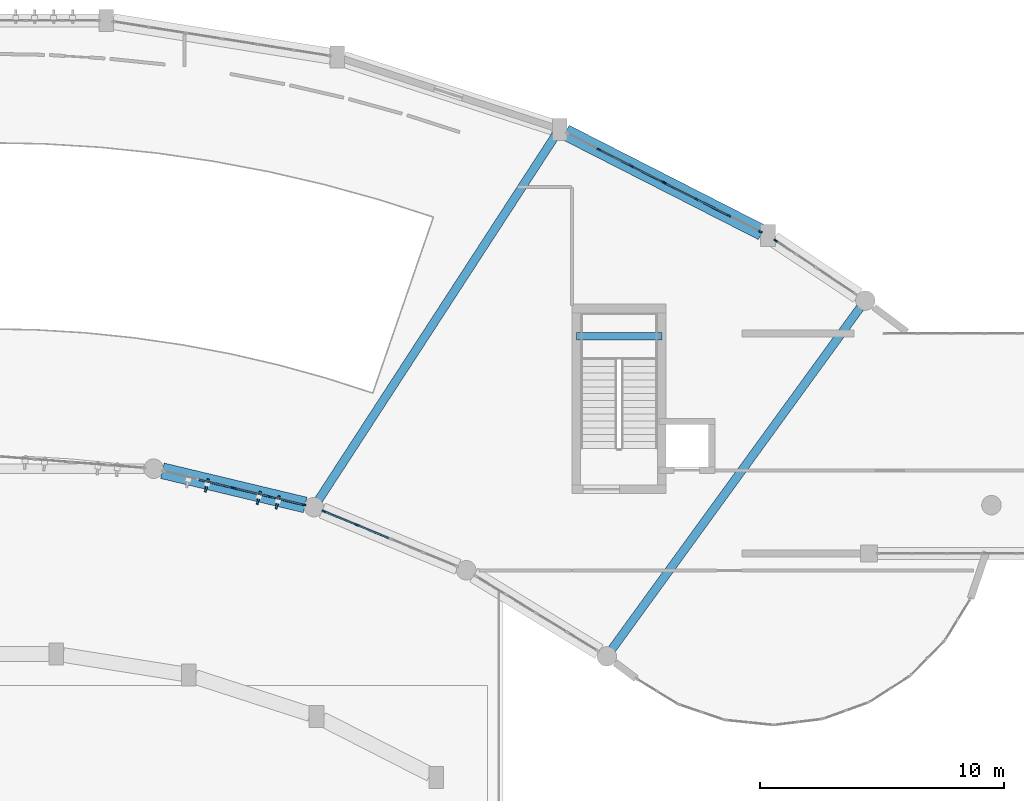
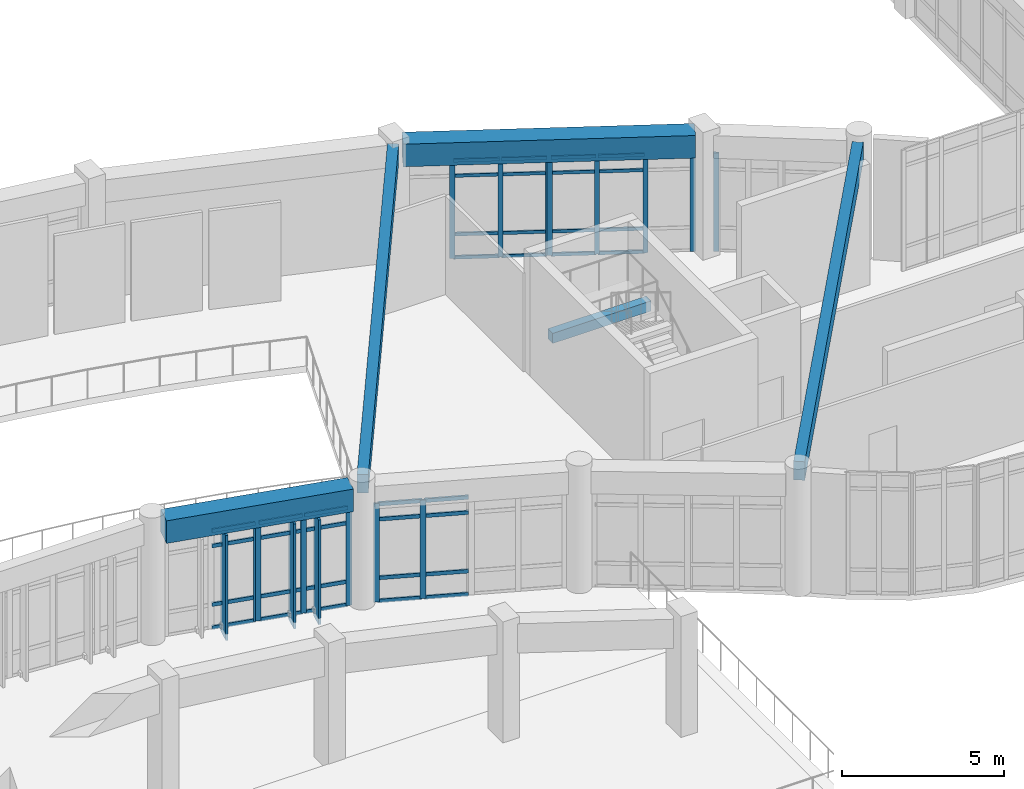
# One storey, part 17 of 65: 53 members, 5 beams, 6 elements without a shape of their own.
"""IFC4 building model written with IfcOpenShell, lengths in metres."""

from ifc_helpers import new_model, si_unit, direction, frame, origin, origin_2d, place, context, subcontext, project, spatial, rectangle, extrude, material, layer, layer_set, material_profile, profile_set, type_object, element, aggregate, save


model = new_model("IFC4")

# Units and contexts
model_context = context("Model", 3, precision=1e-05, world=origin(), true_north=direction((0.0, 1.0)))
body_context = subcontext(model_context, "Body", "Model", "MODEL_VIEW")
ifc_project = project(units=[si_unit("LENGTHUNIT", "METRE"), si_unit("AREAUNIT", "SQUARE_METRE"), si_unit("VOLUMEUNIT", "CUBIC_METRE"), si_unit("PLANEANGLEUNIT", "RADIAN"), si_unit("MASSUNIT", "GRAM", prefix="KILO")], contexts=[model_context])

# Site, building, storey
site_placement = place(None, origin())
site = spatial("IfcSite", under=ifc_project, at=site_placement, CompositionType="ELEMENT")
building_placement = place(site_placement, origin())
building = spatial("IfcBuilding", under=site, at=building_placement, Name="Miralva Faculty of Natural Sciences", CompositionType="ELEMENT")
storey_placement = place(building_placement, frame((0.0, 0.0, 10.199951171875)))
storey = spatial("IfcBuildingStorey", under=building, at=storey_placement, Name="L02", CompositionType="ELEMENT", Elevation=10.199951171875)

# Beams
ifc_material_1 = material(Name="Concrete C40/50", Category="concrete")
ifc_material_profile_1 = material_profile(ifc_material_1, rectangle(XDim=0.35009765625, YDim=0.699951171875, at=origin_2d()), Name="RC 350x700")
ifc_profile_set_1 = profile_set([ifc_material_profile_1], Name="Concrete C40/50")
beam_type_1 = type_object("IfcBeamType", Name="BM-B04", PredefinedType="BEAM", material=ifc_profile_set_1)
beam_1_placement = place(storey_placement, frame((115.486328125, 14.087646484375, 4.2099609375), z_axis=(0.587845363803, 0.808973317394, 0.0), x_axis=(-0.808973317394, 0.587845363803, 0.0)))
element("IfcBeam", 1, at=beam_1_placement, inside=storey, type_object=beam_type_1, Name="Swept-arc radial girder L02-1", PredefinedType="BEAM", context=body_context, shape_type="SweptSolid", body=[
    extrude(rectangle(XDim=0.35009765625, YDim=0.699951171875, at=origin_2d()), origin(), (0.0, 0.0, 1.0), 17.26220703125),
])
beam_2_placement = place(storey_placement, frame((103.490478515625, 20.20849609375, 4.2099609375), z_axis=(0.545032231666, 0.838415091971, 0.0), x_axis=(-0.838415091971, 0.545032231666, 0.0)))
element("IfcBeam", 2, at=beam_2_placement, inside=storey, type_object=beam_type_1, Name="Swept-arc radial girder L02-3", PredefinedType="BEAM", context=body_context, shape_type="SweptSolid", body=[
    extrude(rectangle(XDim=0.35009765625, YDim=0.699951171875, at=origin_2d()), origin(), (0.0, 0.0, 1.0), 17.795654296875),
])
ifc_material_profile_2 = material_profile(ifc_material_1, rectangle(XDim=0.300048828125, YDim=0.3798828125, at=origin_2d()), Name="RC 300x380")
ifc_profile_set_2 = profile_set([ifc_material_profile_2], Name="Concrete C40/50")
beam_type_2 = type_object("IfcBeamType", Name="BM-LND01", PredefinedType="BEAM", material=ifc_profile_set_2)
beam_3_placement = place(storey_placement, frame((114.02490234375, 26.89501953125, 2.02001953125), z_axis=(1.0, 0.0, 0.0), x_axis=(0.0, 1.0, 0.0)))
element("IfcBeam", 3, at=beam_3_placement, inside=storey, type_object=beam_type_2, Name="Stair Core C3 half-landing support beam L02", PredefinedType="BEAM", context=body_context, shape_type="SweptSolid", body=[
    extrude(rectangle(XDim=0.300048828125, YDim=0.3798828125, at=origin_2d()), origin(), (0.0, 0.0, 1.0), 3.5),
])
ifc_material_profile_3 = material_profile(ifc_material_1, rectangle(XDim=0.64990234375, YDim=0.85009765625, at=origin_2d()), Name="RC 650x850")
ifc_profile_set_3 = profile_set([ifc_material_profile_3], Name="Concrete C40/50")
beam_type_3 = type_object("IfcBeamType", Name="BM-SP03", PredefinedType="SPANDREL", material=ifc_profile_set_3)
beam_4_placement = place(storey_placement, frame((121.6240234375, 31.135498046875, 4.135009765625), z_axis=(-0.890849035396, 0.454299456454, 0.0), x_axis=(-0.454299456454, -0.890849035396, 0.0)))
element("IfcBeam", 4, at=beam_4_placement, inside=storey, type_object=beam_type_3, Name="Curved chord girder SHOUT L02-2", PredefinedType="SPANDREL", context=body_context, shape_type="SweptSolid", body=[
    extrude(rectangle(XDim=0.64990234375, YDim=0.85009765625, at=origin_2d()), origin(), (0.0, 0.0, 1.0), 9.02294921875),
])
beam_5_placement = place(storey_placement, frame((102.93212890625, 19.985595703125, 4.135009765625), z_axis=(-0.97253572319, 0.232753661883, 0.0), x_axis=(-0.232753661883, -0.97253572319, 0.0)))
element("IfcBeam", 5, at=beam_5_placement, inside=storey, type_object=beam_type_3, Name="Curved chord girder ARCIN L02-3", PredefinedType="SPANDREL", context=body_context, shape_type="SweptSolid", body=[
    extrude(rectangle(XDim=0.64990234375, YDim=0.85009765625, at=origin_2d()), origin(), (0.0, 0.0, 1.0), 6.00927734375),
])

# Curtain wall, member
ifc_material_2 = material(Name="Laminated solar-control glass", Category="glass")
ifc_layer = layer(ifc_material_2, 0.179931640625, Name="CW-ARC-L01")
ifc_layer_set = layer_set([ifc_layer], Name="Laminated solar-control glass")
curtain_wall_type = type_object("IfcCurtainWallType", Name="CW-ARC-L01", PredefinedType="USERDEFINED", material=ifc_layer_set)
curtain_wall_1_placement = place(storey_placement, origin())
curtain_wall_1 = element("IfcCurtainWall", 6, at=curtain_wall_1_placement, inside=storey, type_object=curtain_wall_type, Name="Curtain wall CW-02 L02-71", ObjectType="UNITISED CURTAIN WALL", PredefinedType="USERDEFINED")
ifc_material_3 = material(Name="Anodised aluminium", Category="aluminium")
ifc_material_profile_4 = material_profile(ifc_material_3, rectangle(XDim=0.06494140625, YDim=0.179931640625, at=origin_2d()), Name="MULLION 65x180")
ifc_profile_set_4 = profile_set([ifc_material_profile_4], Name="Anodised aluminium")
member_type_1 = type_object("IfcMemberType", Name="CW-M01", PredefinedType="MULLION", material=ifc_profile_set_4)
member_1_placement = place(storey_placement, frame((99.9755859375, 20.690673828125, 0.0), z_axis=(0.0, 0.0, 1.0), x_axis=(0.233456753574, 0.972367185898, 0.0)))
member_1 = element("IfcMember", 7, at=member_1_placement, type_object=member_type_1, Name="CW-02 mullion 3", PredefinedType="MULLION", context=body_context, shape_type="SweptSolid", body=[
    extrude(rectangle(XDim=0.06494140625, YDim=0.179931640625, at=origin_2d()), origin(), (0.0, 0.0, 1.0), 3.705078125),
])

# Curtain wall, members
curtain_wall_2_placement = place(storey_placement, origin())
curtain_wall_2 = element("IfcCurtainWall", 8, at=curtain_wall_2_placement, inside=storey, type_object=curtain_wall_type, Name="Curtain wall CW-02 L02-72", ObjectType="UNITISED CURTAIN WALL", PredefinedType="USERDEFINED")
member_2_placement = place(storey_placement, frame((100.033935546875, 20.676513671875, 0.0), z_axis=(0.0, 0.0, 1.0), x_axis=(0.233464217213, 0.972365393914, 0.0)))
member_2 = element("IfcMember", 9, at=member_2_placement, type_object=member_type_1, Name="CW-02 mullion 1", PredefinedType="MULLION", context=body_context, shape_type="SweptSolid", body=[
    extrude(rectangle(XDim=0.06494140625, YDim=0.179931640625, at=origin_2d()), origin(), (0.0, 0.0, 1.0), 3.705078125),
])
member_3_placement = place(storey_placement, frame((101.452880859375, 20.3359375, 0.0), z_axis=(0.0, 0.0, 1.0), x_axis=(0.233464217213, 0.972365393914, 0.0)))
member_3 = element("IfcMember", 10, at=member_3_placement, type_object=member_type_1, Name="CW-02 mullion 2", PredefinedType="MULLION", context=body_context, shape_type="SweptSolid", body=[
    extrude(rectangle(XDim=0.06494140625, YDim=0.179931640625, at=origin_2d()), origin(), (0.0, 0.0, 1.0), 3.705078125),
])
member_4_placement = place(storey_placement, frame((102.8720703125, 19.9951171875, 0.0), z_axis=(0.0, 0.0, 1.0), x_axis=(0.233464217213, 0.972365393914, 0.0)))
member_4 = element("IfcMember", 11, at=member_4_placement, type_object=member_type_1, Name="CW-02 mullion 3", PredefinedType="MULLION", context=body_context, shape_type="SweptSolid", body=[
    extrude(rectangle(XDim=0.06494140625, YDim=0.179931640625, at=origin_2d()), origin(), (0.0, 0.0, 1.0), 3.705078125),
])

curtain_wall_3_placement = place(storey_placement, origin())
curtain_wall_3 = element("IfcCurtainWall", 12, at=curtain_wall_3_placement, inside=storey, type_object=curtain_wall_type, Name="Curtain wall CW-02 L02-73", ObjectType="UNITISED CURTAIN WALL", PredefinedType="USERDEFINED")
member_5_placement = place(storey_placement, frame((103.701171875, 19.72412109375, 0.0), z_axis=(0.0, 0.0, 1.0), x_axis=(0.382656259046, 0.9238907876, 0.0)))
member_5 = element("IfcMember", 13, at=member_5_placement, type_object=member_type_1, Name="CW-02 mullion 1", PredefinedType="MULLION", context=body_context, shape_type="SweptSolid", body=[
    extrude(rectangle(XDim=0.06494140625, YDim=0.179931640625, at=origin_2d()), origin(), (0.0, 0.0, 1.0), 3.705078125),
])
member_6_placement = place(storey_placement, frame((105.037841796875, 19.17041015625, 0.0), z_axis=(0.0, 0.0, 1.0), x_axis=(0.382656259046, 0.9238907876, 0.0)))
member_6 = element("IfcMember", 14, at=member_6_placement, type_object=member_type_1, Name="CW-02 mullion 2", PredefinedType="MULLION", context=body_context, shape_type="SweptSolid", body=[
    extrude(rectangle(XDim=0.06494140625, YDim=0.179931640625, at=origin_2d()), origin(), (0.0, 0.0, 1.0), 3.705078125),
])

curtain_wall_4_placement = place(storey_placement, origin())
curtain_wall_4 = element("IfcCurtainWall", 15, at=curtain_wall_4_placement, inside=storey, type_object=curtain_wall_type, Name="Curtain wall CW-02 L02-89", ObjectType="UNITISED CURTAIN WALL", PredefinedType="USERDEFINED")
ifc_material_profile_5 = material_profile(ifc_material_3, rectangle(XDim=0.06494140625, YDim=0.159912109375, at=origin_2d()), Name="MULLION 65x160")
ifc_profile_set_5 = profile_set([ifc_material_profile_5], Name="Anodised aluminium")
member_type_2 = type_object("IfcMemberType", Name="CW-M02", PredefinedType="MULLION", material=ifc_profile_set_5)
member_7_placement = place(storey_placement, frame((114.952392578125, 34.537109375, 0.0), z_axis=(0.0, 0.0, 1.0), x_axis=(0.453973358631, 0.891015257812, 0.0)))
member_7 = element("IfcMember", 16, at=member_7_placement, type_object=member_type_2, Name="CW-02 mullion 2", PredefinedType="MULLION", context=body_context, shape_type="SweptSolid", body=[
    extrude(rectangle(XDim=0.06494140625, YDim=0.159912109375, at=origin_2d()), origin(), (0.0, 0.0, 1.0), 3.705078125),
])
member_8_placement = place(storey_placement, frame((116.2802734375, 33.8603515625, 0.0), z_axis=(0.0, 0.0, 1.0), x_axis=(0.453973358631, 0.891015257812, 0.0)))
member_8 = element("IfcMember", 17, at=member_8_placement, type_object=member_type_2, Name="CW-02 mullion 3", PredefinedType="MULLION", context=body_context, shape_type="SweptSolid", body=[
    extrude(rectangle(XDim=0.06494140625, YDim=0.159912109375, at=origin_2d()), origin(), (0.0, 0.0, 1.0), 3.705078125),
])
member_9_placement = place(storey_placement, frame((117.5791015625, 33.19873046875, 0.0), z_axis=(0.0, 0.0, 1.0), x_axis=(0.453973358631, 0.891015257812, 0.0)))
member_9 = element("IfcMember", 18, at=member_9_placement, type_object=member_type_2, Name="CW-02 mullion 4", PredefinedType="MULLION", context=body_context, shape_type="SweptSolid", body=[
    extrude(rectangle(XDim=0.06494140625, YDim=0.159912109375, at=origin_2d()), origin(), (0.0, 0.0, 1.0), 3.705078125),
])

curtain_wall_5_placement = place(storey_placement, origin())
curtain_wall_5 = element("IfcCurtainWall", 19, at=curtain_wall_5_placement, inside=storey, type_object=curtain_wall_type, Name="Curtain wall CW-02 L02-90", ObjectType="UNITISED CURTAIN WALL", PredefinedType="USERDEFINED")
member_10_placement = place(storey_placement, frame((117.632568359375, 33.17138671875, 0.0), z_axis=(0.0, 0.0, 1.0), x_axis=(0.454001417532, 0.891000961211, 0.0)))
member_10 = element("IfcMember", 20, at=member_10_placement, type_object=member_type_2, Name="CW-02 mullion 1", PredefinedType="MULLION", context=body_context, shape_type="SweptSolid", body=[
    extrude(rectangle(XDim=0.06494140625, YDim=0.159912109375, at=origin_2d()), origin(), (0.0, 0.0, 1.0), 3.705078125),
])
member_11_placement = place(storey_placement, frame((118.932861328125, 32.5087890625, 0.0), z_axis=(0.0, 0.0, 1.0), x_axis=(0.454001417532, 0.891000961211, 0.0)))
member_11 = element("IfcMember", 21, at=member_11_placement, type_object=member_type_2, Name="CW-02 mullion 2", PredefinedType="MULLION", context=body_context, shape_type="SweptSolid", body=[
    extrude(rectangle(XDim=0.06494140625, YDim=0.159912109375, at=origin_2d()), origin(), (0.0, 0.0, 1.0), 3.705078125),
])
member_12_placement = place(storey_placement, frame((120.262451171875, 31.83154296875, 0.0), z_axis=(0.0, 0.0, 1.0), x_axis=(0.454001417532, 0.891000961211, 0.0)))
member_12 = element("IfcMember", 22, at=member_12_placement, type_object=member_type_2, Name="CW-02 mullion 3", PredefinedType="MULLION", context=body_context, shape_type="SweptSolid", body=[
    extrude(rectangle(XDim=0.06494140625, YDim=0.159912109375, at=origin_2d()), origin(), (0.0, 0.0, 1.0), 3.705078125),
])
member_13_placement = place(storey_placement, frame((121.562744140625, 31.1689453125, 0.0), z_axis=(0.0, 0.0, 1.0), x_axis=(0.454001417532, 0.891000961211, 0.0)))
member_13 = element("IfcMember", 23, at=member_13_placement, type_object=member_type_2, Name="CW-02 mullion 4", PredefinedType="MULLION", context=body_context, shape_type="SweptSolid", body=[
    extrude(rectangle(XDim=0.06494140625, YDim=0.159912109375, at=origin_2d()), origin(), (0.0, 0.0, 1.0), 3.705078125),
])

# Curtain wall, member
curtain_wall_6_placement = place(storey_placement, origin())
curtain_wall_6 = element("IfcCurtainWall", 24, at=curtain_wall_6_placement, inside=storey, type_object=curtain_wall_type, Name="Curtain wall CW-02 L02-91", ObjectType="UNITISED CURTAIN WALL", PredefinedType="USERDEFINED")
member_14_placement = place(storey_placement, frame((122.186279296875, 30.80126953125, 0.0), z_axis=(0.0, 0.0, 1.0), x_axis=(0.555589230409, 0.831456918339, 0.0)))
member_14 = element("IfcMember", 25, at=member_14_placement, type_object=member_type_2, Name="CW-02 mullion 1", PredefinedType="MULLION", context=body_context, shape_type="SweptSolid", body=[
    extrude(rectangle(XDim=0.06494140625, YDim=0.159912109375, at=origin_2d()), origin(), (0.0, 0.0, 1.0), 3.705078125),
])
aggregate(curtain_wall_6, [member_14])

# Member
ifc_material_profile_6 = material_profile(ifc_material_3, rectangle(XDim=0.06494140625, YDim=0.139892578125, at=origin_2d()), Name="TRANSOM 65x140")
ifc_profile_set_6 = profile_set([ifc_material_profile_6], Name="Anodised aluminium")
member_type_3 = type_object("IfcMemberType", Name="CW-T01", PredefinedType="USERDEFINED", material=ifc_profile_set_6)
member_15_placement = place(storey_placement, frame((98.590576171875, 21.023193359375, 0.032470703125), z_axis=(0.972369786639, -0.233445920999, 0.0), x_axis=(0.233445920999, 0.972369786639, 0.0)))
member_15 = element("IfcMember", 26, at=member_15_placement, type_object=member_type_3, Name="CW-02 transom 2.1", ObjectType="TRANSOM", PredefinedType="USERDEFINED", context=body_context, shape_type="SweptSolid", body=[
    extrude(rectangle(XDim=0.06494140625, YDim=0.139892578125, at=origin_2d()), origin(), (0.0, 0.0, 1.0), 1.39208984375),
])

member_16_placement = place(storey_placement, frame((98.590576171875, 21.023193359375, 0.900146484375), z_axis=(0.972369786639, -0.233445920999, 0.0), x_axis=(0.233445920999, 0.972369786639, 0.0)))
member_16 = element("IfcMember", 27, at=member_16_placement, type_object=member_type_3, Name="CW-02 transom 2.2", ObjectType="TRANSOM", PredefinedType="USERDEFINED", context=body_context, shape_type="SweptSolid", body=[
    extrude(rectangle(XDim=0.06494140625, YDim=0.139892578125, at=origin_2d()), origin(), (0.0, 0.0, 1.0), 1.39208984375),
])

member_17_placement = place(storey_placement, frame((98.590576171875, 21.023193359375, 3.10498046875), z_axis=(0.972369786639, -0.233445920999, 0.0), x_axis=(0.233445920999, 0.972369786639, 0.0)))
member_17 = element("IfcMember", 28, at=member_17_placement, type_object=member_type_3, Name="CW-02 transom 2.3", ObjectType="TRANSOM", PredefinedType="USERDEFINED", context=body_context, shape_type="SweptSolid", body=[
    extrude(rectangle(XDim=0.06494140625, YDim=0.139892578125, at=origin_2d()), origin(), (0.0, 0.0, 1.0), 1.39208984375),
])

member_18_placement = place(storey_placement, frame((98.590576171875, 21.023193359375, 3.672607421875), z_axis=(0.972369786639, -0.233445920999, 0.0), x_axis=(0.233445920999, 0.972369786639, 0.0)))
member_18 = element("IfcMember", 29, at=member_18_placement, type_object=member_type_3, Name="CW-02 transom 2.4", ObjectType="TRANSOM", PredefinedType="USERDEFINED", context=body_context, shape_type="SweptSolid", body=[
    extrude(rectangle(XDim=0.06494140625, YDim=0.139892578125, at=origin_2d()), origin(), (0.0, 0.0, 1.0), 1.39208984375),
])

aggregate(curtain_wall_1, [member_1, member_15, member_16, member_17, member_18])

member_19_placement = place(storey_placement, frame((100.0654296875, 20.6689453125, 0.032470703125), z_axis=(0.972385712744, -0.233379574196, 0.0), x_axis=(0.233379574196, 0.972385712744, 0.0)))
member_19 = element("IfcMember", 30, at=member_19_placement, type_object=member_type_3, Name="CW-02 transom 1.1", ObjectType="TRANSOM", PredefinedType="USERDEFINED", context=body_context, shape_type="SweptSolid", body=[
    extrude(rectangle(XDim=0.06494140625, YDim=0.139892578125, at=origin_2d()), origin(), (0.0, 0.0, 1.0), 1.39453125),
])

member_20_placement = place(storey_placement, frame((100.0654296875, 20.6689453125, 0.900146484375), z_axis=(0.972385712744, -0.233379574196, 0.0), x_axis=(0.233379574196, 0.972385712744, 0.0)))
member_20 = element("IfcMember", 31, at=member_20_placement, type_object=member_type_3, Name="CW-02 transom 1.2", ObjectType="TRANSOM", PredefinedType="USERDEFINED", context=body_context, shape_type="SweptSolid", body=[
    extrude(rectangle(XDim=0.06494140625, YDim=0.139892578125, at=origin_2d()), origin(), (0.0, 0.0, 1.0), 1.39453125),
])

member_21_placement = place(storey_placement, frame((100.0654296875, 20.6689453125, 3.10498046875), z_axis=(0.972385712744, -0.233379574196, 0.0), x_axis=(0.233379574196, 0.972385712744, 0.0)))
member_21 = element("IfcMember", 32, at=member_21_placement, type_object=member_type_3, Name="CW-02 transom 1.3", ObjectType="TRANSOM", PredefinedType="USERDEFINED", context=body_context, shape_type="SweptSolid", body=[
    extrude(rectangle(XDim=0.06494140625, YDim=0.139892578125, at=origin_2d()), origin(), (0.0, 0.0, 1.0), 1.39453125),
])

member_22_placement = place(storey_placement, frame((100.0654296875, 20.6689453125, 3.672607421875), z_axis=(0.972385712744, -0.233379574196, 0.0), x_axis=(0.233379574196, 0.972385712744, 0.0)))
member_22 = element("IfcMember", 33, at=member_22_placement, type_object=member_type_3, Name="CW-02 transom 1.4", ObjectType="TRANSOM", PredefinedType="USERDEFINED", context=body_context, shape_type="SweptSolid", body=[
    extrude(rectangle(XDim=0.06494140625, YDim=0.139892578125, at=origin_2d()), origin(), (0.0, 0.0, 1.0), 1.39453125),
])

member_23_placement = place(storey_placement, frame((101.484619140625, 20.328369140625, 0.032470703125), z_axis=(0.972336417448, -0.233584869598, 0.0), x_axis=(0.233584869598, 0.972336417448, 0.0)))
member_23 = element("IfcMember", 34, at=member_23_placement, type_object=member_type_3, Name="CW-02 transom 2.1", ObjectType="TRANSOM", PredefinedType="USERDEFINED", context=body_context, shape_type="SweptSolid", body=[
    extrude(rectangle(XDim=0.06494140625, YDim=0.139892578125, at=origin_2d()), origin(), (0.0, 0.0, 1.0), 1.394287109375),
])

member_24_placement = place(storey_placement, frame((101.484619140625, 20.328369140625, 0.900146484375), z_axis=(0.972336417448, -0.233584869598, 0.0), x_axis=(0.233584869598, 0.972336417448, 0.0)))
member_24 = element("IfcMember", 35, at=member_24_placement, type_object=member_type_3, Name="CW-02 transom 2.2", ObjectType="TRANSOM", PredefinedType="USERDEFINED", context=body_context, shape_type="SweptSolid", body=[
    extrude(rectangle(XDim=0.06494140625, YDim=0.139892578125, at=origin_2d()), origin(), (0.0, 0.0, 1.0), 1.394287109375),
])

member_25_placement = place(storey_placement, frame((101.484619140625, 20.328369140625, 3.10498046875), z_axis=(0.972336417448, -0.233584869598, 0.0), x_axis=(0.233584869598, 0.972336417448, 0.0)))
member_25 = element("IfcMember", 36, at=member_25_placement, type_object=member_type_3, Name="CW-02 transom 2.3", ObjectType="TRANSOM", PredefinedType="USERDEFINED", context=body_context, shape_type="SweptSolid", body=[
    extrude(rectangle(XDim=0.06494140625, YDim=0.139892578125, at=origin_2d()), origin(), (0.0, 0.0, 1.0), 1.394287109375),
])

member_26_placement = place(storey_placement, frame((101.484619140625, 20.328369140625, 3.672607421875), z_axis=(0.972336417448, -0.233584869598, 0.0), x_axis=(0.233584869598, 0.972336417448, 0.0)))
member_26 = element("IfcMember", 37, at=member_26_placement, type_object=member_type_3, Name="CW-02 transom 2.4", ObjectType="TRANSOM", PredefinedType="USERDEFINED", context=body_context, shape_type="SweptSolid", body=[
    extrude(rectangle(XDim=0.06494140625, YDim=0.139892578125, at=origin_2d()), origin(), (0.0, 0.0, 1.0), 1.394287109375),
])

aggregate(curtain_wall_2, [member_2, member_3, member_4, member_19, member_20, member_21, member_22, member_23, member_24, member_25, member_26])

member_27_placement = place(storey_placement, frame((103.731201171875, 19.711669921875, 0.032470703125), z_axis=(0.923874704855, -0.382695087151, 0.0), x_axis=(0.382695087151, 0.923874704855, 0.0)))
member_27 = element("IfcMember", 38, at=member_27_placement, type_object=member_type_3, Name="CW-02 transom 1.1", ObjectType="TRANSOM", PredefinedType="USERDEFINED", context=body_context, shape_type="SweptSolid", body=[
    extrude(rectangle(XDim=0.06494140625, YDim=0.139892578125, at=origin_2d()), origin(), (0.0, 0.0, 1.0), 1.3818359375),
])

member_28_placement = place(storey_placement, frame((103.731201171875, 19.711669921875, 0.900146484375), z_axis=(0.923874704855, -0.382695087151, 0.0), x_axis=(0.382695087151, 0.923874704855, 0.0)))
member_28 = element("IfcMember", 39, at=member_28_placement, type_object=member_type_3, Name="CW-02 transom 1.2", ObjectType="TRANSOM", PredefinedType="USERDEFINED", context=body_context, shape_type="SweptSolid", body=[
    extrude(rectangle(XDim=0.06494140625, YDim=0.139892578125, at=origin_2d()), origin(), (0.0, 0.0, 1.0), 1.3818359375),
])

member_29_placement = place(storey_placement, frame((103.731201171875, 19.711669921875, 3.10498046875), z_axis=(0.923874704855, -0.382695087151, 0.0), x_axis=(0.382695087151, 0.923874704855, 0.0)))
member_29 = element("IfcMember", 40, at=member_29_placement, type_object=member_type_3, Name="CW-02 transom 1.3", ObjectType="TRANSOM", PredefinedType="USERDEFINED", context=body_context, shape_type="SweptSolid", body=[
    extrude(rectangle(XDim=0.06494140625, YDim=0.139892578125, at=origin_2d()), origin(), (0.0, 0.0, 1.0), 1.3818359375),
])

member_30_placement = place(storey_placement, frame((103.731201171875, 19.711669921875, 3.672607421875), z_axis=(0.923874704855, -0.382695087151, 0.0), x_axis=(0.382695087151, 0.923874704855, 0.0)))
member_30 = element("IfcMember", 41, at=member_30_placement, type_object=member_type_3, Name="CW-02 transom 1.4", ObjectType="TRANSOM", PredefinedType="USERDEFINED", context=body_context, shape_type="SweptSolid", body=[
    extrude(rectangle(XDim=0.06494140625, YDim=0.139892578125, at=origin_2d()), origin(), (0.0, 0.0, 1.0), 1.3818359375),
])

member_31_placement = place(storey_placement, frame((105.06787109375, 19.157958984375, 0.032470703125), z_axis=(0.923963016378, -0.382481822268, 0.0), x_axis=(0.382481822268, 0.923963016378, 0.0)))
member_31 = element("IfcMember", 42, at=member_31_placement, type_object=member_type_3, Name="CW-02 transom 2.1", ObjectType="TRANSOM", PredefinedType="USERDEFINED", context=body_context, shape_type="SweptSolid", body=[
    extrude(rectangle(XDim=0.06494140625, YDim=0.139892578125, at=origin_2d()), origin(), (0.0, 0.0, 1.0), 1.3818359375),
])

member_32_placement = place(storey_placement, frame((105.06787109375, 19.157958984375, 0.900146484375), z_axis=(0.923963016378, -0.382481822268, 0.0), x_axis=(0.382481822268, 0.923963016378, 0.0)))
member_32 = element("IfcMember", 43, at=member_32_placement, type_object=member_type_3, Name="CW-02 transom 2.2", ObjectType="TRANSOM", PredefinedType="USERDEFINED", context=body_context, shape_type="SweptSolid", body=[
    extrude(rectangle(XDim=0.06494140625, YDim=0.139892578125, at=origin_2d()), origin(), (0.0, 0.0, 1.0), 1.3818359375),
])

member_33_placement = place(storey_placement, frame((105.06787109375, 19.157958984375, 3.10498046875), z_axis=(0.923963016378, -0.382481822268, 0.0), x_axis=(0.382481822268, 0.923963016378, 0.0)))
member_33 = element("IfcMember", 44, at=member_33_placement, type_object=member_type_3, Name="CW-02 transom 2.3", ObjectType="TRANSOM", PredefinedType="USERDEFINED", context=body_context, shape_type="SweptSolid", body=[
    extrude(rectangle(XDim=0.06494140625, YDim=0.139892578125, at=origin_2d()), origin(), (0.0, 0.0, 1.0), 1.3818359375),
])

member_34_placement = place(storey_placement, frame((105.06787109375, 19.157958984375, 3.672607421875), z_axis=(0.923963016378, -0.382481822268, 0.0), x_axis=(0.382481822268, 0.923963016378, 0.0)))
member_34 = element("IfcMember", 45, at=member_34_placement, type_object=member_type_3, Name="CW-02 transom 2.4", ObjectType="TRANSOM", PredefinedType="USERDEFINED", context=body_context, shape_type="SweptSolid", body=[
    extrude(rectangle(XDim=0.06494140625, YDim=0.139892578125, at=origin_2d()), origin(), (0.0, 0.0, 1.0), 1.3818359375),
])

aggregate(curtain_wall_3, [member_5, member_6, member_27, member_28, member_29, member_30, member_31, member_32, member_33, member_34])

ifc_material_profile_7 = material_profile(ifc_material_3, rectangle(XDim=0.06005859375, YDim=0.1201171875, at=origin_2d()), Name="TRANSOM 60x120")
ifc_profile_set_7 = profile_set([ifc_material_profile_7], Name="Anodised aluminium")
member_type_4 = type_object("IfcMemberType", Name="CW-T02", PredefinedType="USERDEFINED", material=ifc_profile_set_7)
member_35_placement = place(storey_placement, frame((114.981201171875, 34.522216796875, 0.030029296875), z_axis=(0.891044725517, -0.453915517612, 0.0), x_axis=(0.453915517612, 0.891044725517, 0.0)))
member_35 = element("IfcMember", 46, at=member_35_placement, type_object=member_type_4, Name="CW-02 transom 2.1", ObjectType="TRANSOM", PredefinedType="USERDEFINED", context=body_context, shape_type="SweptSolid", body=[
    extrude(rectangle(XDim=0.06005859375, YDim=0.1201171875, at=origin_2d()), origin(), (0.0, 0.0, 1.0), 1.42529296875),
])

member_36_placement = place(storey_placement, frame((114.981201171875, 34.522216796875, 0.900146484375), z_axis=(0.891044725517, -0.453915517612, 0.0), x_axis=(0.453915517612, 0.891044725517, 0.0)))
member_36 = element("IfcMember", 47, at=member_36_placement, type_object=member_type_4, Name="CW-02 transom 2.2", ObjectType="TRANSOM", PredefinedType="USERDEFINED", context=body_context, shape_type="SweptSolid", body=[
    extrude(rectangle(XDim=0.06005859375, YDim=0.1201171875, at=origin_2d()), origin(), (0.0, 0.0, 1.0), 1.42529296875),
])

member_37_placement = place(storey_placement, frame((114.981201171875, 34.522216796875, 3.10498046875), z_axis=(0.891044725517, -0.453915517612, 0.0), x_axis=(0.453915517612, 0.891044725517, 0.0)))
member_37 = element("IfcMember", 48, at=member_37_placement, type_object=member_type_4, Name="CW-02 transom 2.3", ObjectType="TRANSOM", PredefinedType="USERDEFINED", context=body_context, shape_type="SweptSolid", body=[
    extrude(rectangle(XDim=0.06005859375, YDim=0.1201171875, at=origin_2d()), origin(), (0.0, 0.0, 1.0), 1.42529296875),
])

member_38_placement = place(storey_placement, frame((114.981201171875, 34.522216796875, 3.675048828125), z_axis=(0.891044725517, -0.453915517612, 0.0), x_axis=(0.453915517612, 0.891044725517, 0.0)))
member_38 = element("IfcMember", 49, at=member_38_placement, type_object=member_type_4, Name="CW-02 transom 2.4", ObjectType="TRANSOM", PredefinedType="USERDEFINED", context=body_context, shape_type="SweptSolid", body=[
    extrude(rectangle(XDim=0.06005859375, YDim=0.1201171875, at=origin_2d()), origin(), (0.0, 0.0, 1.0), 1.42529296875),
])

member_39_placement = place(storey_placement, frame((116.30908203125, 33.845703125, 0.030029296875), z_axis=(0.89103682183, -0.453931032364, 0.0), x_axis=(0.453931032364, 0.89103682183, 0.0)))
member_39 = element("IfcMember", 50, at=member_39_placement, type_object=member_type_4, Name="CW-02 transom 3.1", ObjectType="TRANSOM", PredefinedType="USERDEFINED", context=body_context, shape_type="SweptSolid", body=[
    extrude(rectangle(XDim=0.06005859375, YDim=0.1201171875, at=origin_2d()), origin(), (0.0, 0.0, 1.0), 1.39306640625),
])

member_40_placement = place(storey_placement, frame((116.30908203125, 33.845703125, 0.900146484375), z_axis=(0.89103682183, -0.453931032364, 0.0), x_axis=(0.453931032364, 0.89103682183, 0.0)))
member_40 = element("IfcMember", 51, at=member_40_placement, type_object=member_type_4, Name="CW-02 transom 3.2", ObjectType="TRANSOM", PredefinedType="USERDEFINED", context=body_context, shape_type="SweptSolid", body=[
    extrude(rectangle(XDim=0.06005859375, YDim=0.1201171875, at=origin_2d()), origin(), (0.0, 0.0, 1.0), 1.39306640625),
])

member_41_placement = place(storey_placement, frame((116.30908203125, 33.845703125, 3.10498046875), z_axis=(0.89103682183, -0.453931032364, 0.0), x_axis=(0.453931032364, 0.89103682183, 0.0)))
member_41 = element("IfcMember", 52, at=member_41_placement, type_object=member_type_4, Name="CW-02 transom 3.3", ObjectType="TRANSOM", PredefinedType="USERDEFINED", context=body_context, shape_type="SweptSolid", body=[
    extrude(rectangle(XDim=0.06005859375, YDim=0.1201171875, at=origin_2d()), origin(), (0.0, 0.0, 1.0), 1.39306640625),
])

member_42_placement = place(storey_placement, frame((116.30908203125, 33.845703125, 3.675048828125), z_axis=(0.89103682183, -0.453931032364, 0.0), x_axis=(0.453931032364, 0.89103682183, 0.0)))
member_42 = element("IfcMember", 53, at=member_42_placement, type_object=member_type_4, Name="CW-02 transom 3.4", ObjectType="TRANSOM", PredefinedType="USERDEFINED", context=body_context, shape_type="SweptSolid", body=[
    extrude(rectangle(XDim=0.06005859375, YDim=0.1201171875, at=origin_2d()), origin(), (0.0, 0.0, 1.0), 1.39306640625),
])

aggregate(curtain_wall_4, [member_7, member_8, member_9, member_35, member_36, member_37, member_38, member_39, member_40, member_41, member_42])

member_43_placement = place(storey_placement, frame((117.66162109375, 33.15673828125, 0.030029296875), z_axis=(0.891004754487, -0.453993972958, 0.0), x_axis=(0.453993972958, 0.891004754487, 0.0)))
member_43 = element("IfcMember", 54, at=member_43_placement, type_object=member_type_4, Name="CW-02 transom 1.1", ObjectType="TRANSOM", PredefinedType="USERDEFINED", context=body_context, shape_type="SweptSolid", body=[
    extrude(rectangle(XDim=0.06005859375, YDim=0.1201171875, at=origin_2d()), origin(), (0.0, 0.0, 1.0), 1.39453125),
])

member_44_placement = place(storey_placement, frame((117.66162109375, 33.15673828125, 0.900146484375), z_axis=(0.891004754487, -0.453993972958, 0.0), x_axis=(0.453993972958, 0.891004754487, 0.0)))
member_44 = element("IfcMember", 55, at=member_44_placement, type_object=member_type_4, Name="CW-02 transom 1.2", ObjectType="TRANSOM", PredefinedType="USERDEFINED", context=body_context, shape_type="SweptSolid", body=[
    extrude(rectangle(XDim=0.06005859375, YDim=0.1201171875, at=origin_2d()), origin(), (0.0, 0.0, 1.0), 1.39453125),
])

member_45_placement = place(storey_placement, frame((117.66162109375, 33.15673828125, 3.10498046875), z_axis=(0.891004754487, -0.453993972958, 0.0), x_axis=(0.453993972958, 0.891004754487, 0.0)))
member_45 = element("IfcMember", 56, at=member_45_placement, type_object=member_type_4, Name="CW-02 transom 1.3", ObjectType="TRANSOM", PredefinedType="USERDEFINED", context=body_context, shape_type="SweptSolid", body=[
    extrude(rectangle(XDim=0.06005859375, YDim=0.1201171875, at=origin_2d()), origin(), (0.0, 0.0, 1.0), 1.39453125),
])

member_46_placement = place(storey_placement, frame((117.66162109375, 33.15673828125, 3.675048828125), z_axis=(0.891004754487, -0.453993972958, 0.0), x_axis=(0.453993972958, 0.891004754487, 0.0)))
member_46 = element("IfcMember", 57, at=member_46_placement, type_object=member_type_4, Name="CW-02 transom 1.4", ObjectType="TRANSOM", PredefinedType="USERDEFINED", context=body_context, shape_type="SweptSolid", body=[
    extrude(rectangle(XDim=0.06005859375, YDim=0.1201171875, at=origin_2d()), origin(), (0.0, 0.0, 1.0), 1.39453125),
])

member_47_placement = place(storey_placement, frame((118.9619140625, 32.494140625, 0.030029296875), z_axis=(0.890979432498, -0.454043666254, 0.0), x_axis=(0.454043666254, 0.890979432498, 0.0)))
member_47 = element("IfcMember", 58, at=member_47_placement, type_object=member_type_4, Name="CW-02 transom 2.1", ObjectType="TRANSOM", PredefinedType="USERDEFINED", context=body_context, shape_type="SweptSolid", body=[
    extrude(rectangle(XDim=0.06005859375, YDim=0.1201171875, at=origin_2d()), origin(), (0.0, 0.0, 1.0), 1.427001953125),
])

member_48_placement = place(storey_placement, frame((118.9619140625, 32.494140625, 0.900146484375), z_axis=(0.890979432498, -0.454043666254, 0.0), x_axis=(0.454043666254, 0.890979432498, 0.0)))
member_48 = element("IfcMember", 59, at=member_48_placement, type_object=member_type_4, Name="CW-02 transom 2.2", ObjectType="TRANSOM", PredefinedType="USERDEFINED", context=body_context, shape_type="SweptSolid", body=[
    extrude(rectangle(XDim=0.06005859375, YDim=0.1201171875, at=origin_2d()), origin(), (0.0, 0.0, 1.0), 1.427001953125),
])

member_49_placement = place(storey_placement, frame((118.9619140625, 32.494140625, 3.10498046875), z_axis=(0.890979432498, -0.454043666254, 0.0), x_axis=(0.454043666254, 0.890979432498, 0.0)))
member_49 = element("IfcMember", 60, at=member_49_placement, type_object=member_type_4, Name="CW-02 transom 2.3", ObjectType="TRANSOM", PredefinedType="USERDEFINED", context=body_context, shape_type="SweptSolid", body=[
    extrude(rectangle(XDim=0.06005859375, YDim=0.1201171875, at=origin_2d()), origin(), (0.0, 0.0, 1.0), 1.427001953125),
])

member_50_placement = place(storey_placement, frame((118.9619140625, 32.494140625, 3.675048828125), z_axis=(0.890979432498, -0.454043666254, 0.0), x_axis=(0.454043666254, 0.890979432498, 0.0)))
member_50 = element("IfcMember", 61, at=member_50_placement, type_object=member_type_4, Name="CW-02 transom 2.4", ObjectType="TRANSOM", PredefinedType="USERDEFINED", context=body_context, shape_type="SweptSolid", body=[
    extrude(rectangle(XDim=0.06005859375, YDim=0.1201171875, at=origin_2d()), origin(), (0.0, 0.0, 1.0), 1.427001953125),
])

aggregate(curtain_wall_5, [member_10, member_11, member_12, member_13, member_43, member_44, member_45, member_46, member_47, member_48, member_49, member_50])

# Members
ifc_material_profile_8 = material_profile(ifc_material_3, rectangle(XDim=0.080078125, YDim=0.550048828125, at=origin_2d()), Name="FIN 550x80")
ifc_profile_set_8 = profile_set([ifc_material_profile_8], Name="Anodised aluminium")
member_type_5 = type_object("IfcMemberType", Name="MEM-SF01", PredefinedType="USERDEFINED", material=ifc_profile_set_8)
for number, where, z_axis, x_axis, name in (
    (62, (98.905517578125, 20.782958984375, -0.239990234375), (0.0, 0.0, 1.0), (0.972369920398, -0.233445363856, 0.0), "Solar shading fin SF-01 L02-34"),
    (63, (101.030517578125, 20.272705078125, -0.239990234375), (0.0, 0.0, 1.0), (0.972369920398, -0.233445363856, 0.0), "Solar shading fin SF-01 L02-35"),
    (64, (101.800537109375, 20.087890625, -0.239990234375), (0.0, 0.0, 1.0), (0.972369920398, -0.233445363856, 0.0), "Solar shading fin SF-01 L02-36"),
):
    element("IfcMember", number, at=place(storey_placement, frame(where, z_axis=z_axis, x_axis=x_axis)), inside=storey, type_object=member_type_5, Name=name, ObjectType="SUNSHADE", PredefinedType="USERDEFINED", context=body_context, shape_type="SweptSolid", body=[
        extrude(rectangle(XDim=0.080078125, YDim=0.550048828125, at=origin_2d()), origin(), (0.0, 0.0, 1.0), 3.945068359375),
    ])

save(model, "model.ifc")
